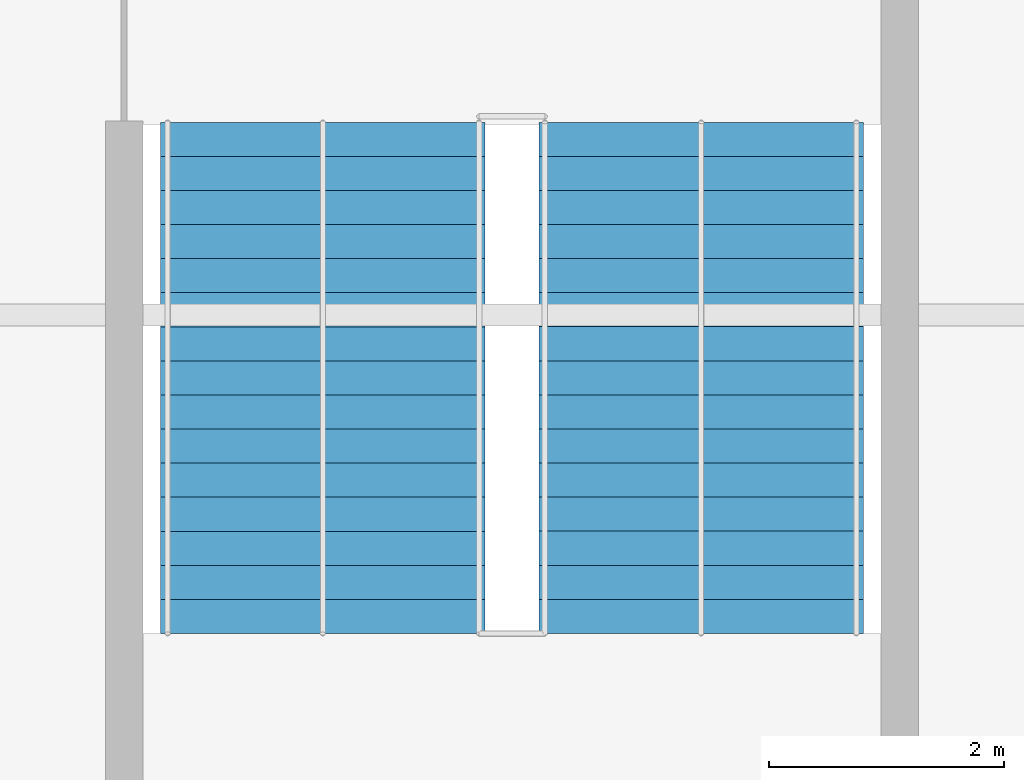
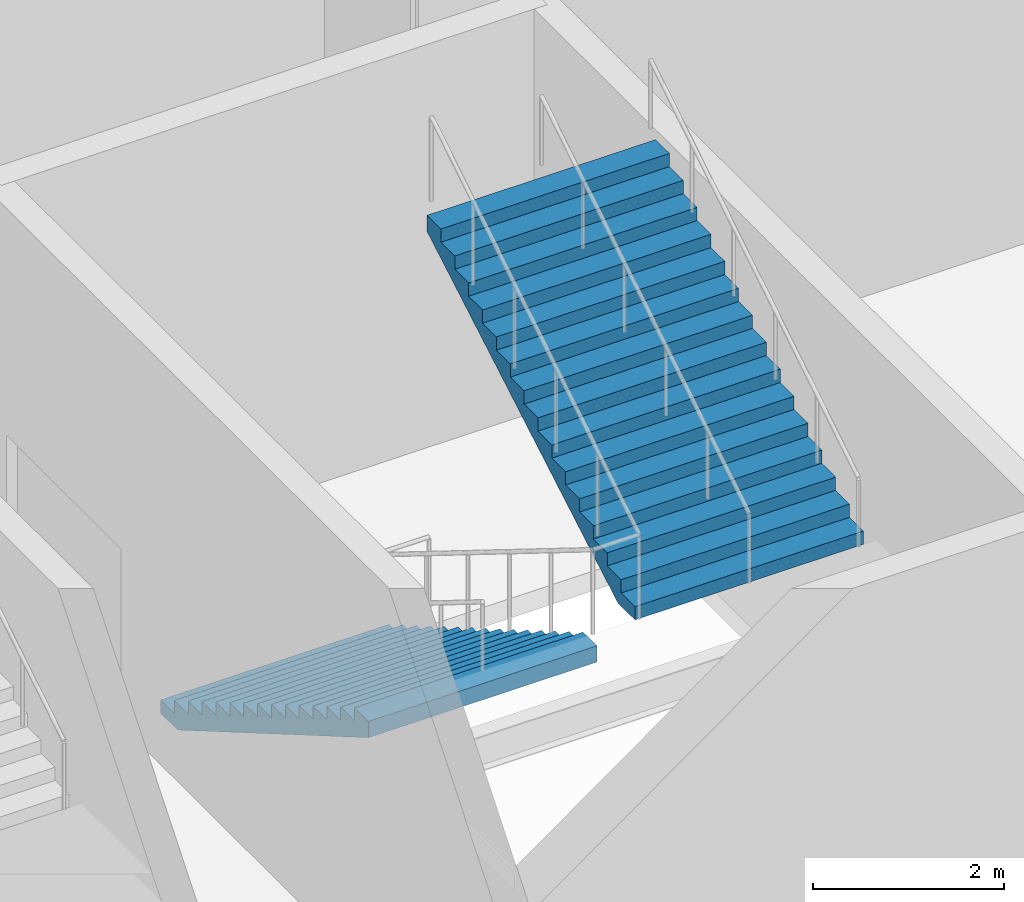
# One storey, part 95 of 111: 2 stair flights, 1 element without a shape of its own.
"""IFC4 building model written with IfcOpenShell, lengths in metres."""

from ifc_helpers import new_model, si_unit, direction, frame, origin, place, context, subcontext, project, spatial, polygons, material, type_object, element, aggregate, save


model = new_model("IFC4")

# Units and contexts
model_context = context("Model", 3, precision=1e-05, world=origin(), true_north=direction((0.0, 1.0)))
body_context = subcontext(model_context, "Body", "Model", "MODEL_VIEW")
ifc_project = project(units=[si_unit("LENGTHUNIT", "METRE"), si_unit("AREAUNIT", "SQUARE_METRE"), si_unit("VOLUMEUNIT", "CUBIC_METRE"), si_unit("PLANEANGLEUNIT", "RADIAN"), si_unit("MASSUNIT", "GRAM", prefix="KILO")], contexts=[model_context])

# Site, building, storey
site_placement = place(None, origin())
site = spatial("IfcSite", under=ifc_project, at=site_placement, CompositionType="ELEMENT")
building_placement = place(site_placement, origin())
building = spatial("IfcBuilding", under=site, at=building_placement, Name="Kisiwana Market Hall", CompositionType="ELEMENT")
storey_placement = place(building_placement, frame((0.0, 0.0, 11.39990234375)))
storey = spatial("IfcBuildingStorey", under=building, at=storey_placement, Name="L02", CompositionType="ELEMENT", Elevation=11.39990234375)

# Stair, stair flights
ifc_material_1 = material(Name="Concrete C32/40", Category="concrete")
stair_type = type_object("IfcStairType", Name="ST-ESC-5400", PredefinedType="TWO_STRAIGHT_RUN_STAIR", material=ifc_material_1)
stair_placement = place(storey_placement, origin())
stair = element("IfcStair", 1, at=stair_placement, inside=storey, type_object=stair_type, Name="Escape stair ST-E4-L02", PredefinedType="TWO_STRAIGHT_RUN_STAIR")
ifc_material_2 = material(Name="Concrete C32/40", Category="concrete")
stair_flight_type = type_object("IfcStairFlightType", Name="SF-ESC-5400", PredefinedType="STRAIGHT", material=ifc_material_2)
stair_flight_1_placement = place(storey_placement, frame((182.889892578125, 77.639892578125, 0.0), z_axis=(0.0, 0.0, 1.0), x_axis=(0.0, -1.0, 0.0)))
stair_flight_1 = element("IfcStairFlight", 2, at=stair_flight_1_placement, type_object=stair_flight_type, Name="ST-E4-L02 flight 1", NumberOfRisers=16, NumberOfTreads=15, PredefinedType="STRAIGHT", RiserHeight=0.16875, TreadLength=0.29, context=body_context, shape_type="Tessellation", body=[
    polygons([(0.0, -1.380127, 0.0), (0.0, -0.690125, 0.0), (0.0, -0.000122, 0.0), (0.0, 0.68988, 0.0), (0.0, 1.379883, 0.0), (0.0, -1.380127, 0.168701), (0.0, -0.690125, 0.168701), (0.0, -0.000122, 0.168701), (0.0, 0.68988, 0.168701), (0.0, 1.379883, 0.168701), (0.290039, -1.380127, 0.168701), (0.290039, -0.690125, 0.168701), (0.290039, -0.000122, 0.168701), (0.290039, 0.68988, 0.168701), (0.290039, 1.379883, 0.168701), (0.290039, -1.380127, 0.337402), (0.290039, -0.690125, 0.337402), (0.290039, -0.000122, 0.337402), (0.290039, 0.68988, 0.337402), (0.290039, 1.379883, 0.337402), (0.580078, -1.380127, 0.337402), (0.580078, -0.690125, 0.337402), (0.580078, -0.000122, 0.337402), (0.580078, 0.68988, 0.337402), (0.580078, 1.379883, 0.337402), (0.580078, -1.380127, 0.506348), (0.580078, -0.690125, 0.506348), (0.580078, -0.000122, 0.506348), (0.580078, 0.68988, 0.506348), (0.580078, 1.379883, 0.506348), (0.870117, -1.380127, 0.506348), (0.870117, -0.690125, 0.506348), (0.870117, -0.000122, 0.506348), (0.870117, 0.68988, 0.506348), (0.870117, 1.379883, 0.506348), (0.870117, -1.380127, 0.675049), (0.870117, -0.690125, 0.675049), (0.870117, -0.000122, 0.675049), (0.870117, 0.68988, 0.675049), (0.870117, 1.379883, 0.675049), (1.159912, -1.380127, 0.675049), (1.159912, -0.690125, 0.675049), (1.159912, -0.000122, 0.675049), (1.159912, 0.68988, 0.675049), (1.159912, 1.379883, 0.675049), (1.159912, -1.380127, 0.84375), (1.159912, -0.690125, 0.84375), (1.159912, -0.000122, 0.84375), (1.159912, 0.68988, 0.84375), (1.159912, 1.379883, 0.84375), (1.449951, -1.380127, 0.84375), (1.449951, -0.690125, 0.84375), (1.449951, -0.000122, 0.84375), (1.449951, 0.68988, 0.84375), (1.449951, 1.379883, 0.84375), (1.449951, -1.380127, 1.012451), (1.449951, -0.690125, 1.012451), (1.449951, -0.000122, 1.012451), (1.449951, 0.68988, 1.012451), (1.449951, 1.379883, 1.012451), (1.73999, -1.380127, 1.012451), (1.73999, -0.690125, 1.012451), (1.73999, -0.000122, 1.012451), (1.73999, 0.68988, 1.012451), (1.73999, 1.379883, 1.012451), (1.73999, -1.380127, 1.181152), (1.73999, -0.690125, 1.181152), (1.73999, -0.000122, 1.181152), (1.73999, 0.68988, 1.181152), (1.73999, 1.379883, 1.181152), (2.030029, -1.380127, 1.181152), (2.030029, -0.690125, 1.181152), (2.030029, -0.000122, 1.181152), (2.030029, 0.68988, 1.181152), (2.030029, 1.379883, 1.181152), (2.030029, -1.380127, 1.350098), (2.030029, -0.690125, 1.350098), (2.030029, -0.000122, 1.350098), (2.030029, 0.68988, 1.350098), (2.030029, 1.379883, 1.350098), (2.320068, -1.380127, 1.350098), (2.320068, -0.690125, 1.350098), (2.320068, -0.000122, 1.350098), (2.320068, 0.68988, 1.350098), (2.320068, 1.379883, 1.350098), (2.320068, -1.380127, 1.518799), (2.320068, -0.690125, 1.518799), (2.320068, -0.000122, 1.518799), (2.320068, 0.68988, 1.518799), (2.320068, 1.379883, 1.518799), (2.610107, -1.380127, 1.518799), (2.610107, -0.690125, 1.518799), (2.610107, -0.000122, 1.518799), (2.610107, 0.68988, 1.518799), (2.610107, 1.379883, 1.518799), (2.610107, -1.380127, 1.6875), (2.610107, -0.690125, 1.6875), (2.610107, -0.000122, 1.6875), (2.610107, 0.68988, 1.6875), (2.610107, 1.379883, 1.6875), (2.899902, -1.380127, 1.6875), (2.899902, -0.690125, 1.6875), (2.899902, -0.000122, 1.6875), (2.899902, 0.68988, 1.6875), (2.899902, 1.379883, 1.6875), (2.899902, -1.380127, 1.856201), (2.899902, -0.690125, 1.856201), (2.899902, -0.000122, 1.856201), (2.899902, 0.68988, 1.856201), (2.899902, 1.379883, 1.856201), (3.189941, -1.380127, 1.856201), (3.189941, -0.690125, 1.856201), (3.189941, -0.000122, 1.856201), (3.189941, 0.68988, 1.856201), (3.189941, 1.379883, 1.856201), (3.189941, -1.380127, 2.024902), (3.189941, -0.690125, 2.024902), (3.189941, -0.000122, 2.024902), (3.189941, 0.68988, 2.024902), (3.189941, 1.379883, 2.024902), (3.47998, -1.380127, 2.024902), (3.47998, -0.690125, 2.024902), (3.47998, -0.000122, 2.024902), (3.47998, 0.68988, 2.024902), (3.47998, 1.379883, 2.024902), (3.47998, -1.380127, 2.193848), (3.47998, -0.690125, 2.193848), (3.47998, -0.000122, 2.193848), (3.47998, 0.68988, 2.193848), (3.47998, 1.379883, 2.193848), (3.77002, -1.380127, 2.193848), (3.77002, -0.690125, 2.193848), (3.77002, -0.000122, 2.193848), (3.77002, 0.68988, 2.193848), (3.77002, 1.379883, 2.193848), (3.77002, -1.380127, 2.362549), (3.77002, -0.690125, 2.362549), (3.77002, -0.000122, 2.362549), (3.77002, 0.68988, 2.362549), (3.77002, 1.379883, 2.362549), (4.060059, -1.380127, 2.362549), (4.060059, -0.690125, 2.362549), (4.060059, -0.000122, 2.362549), (4.060059, 0.68988, 2.362549), (4.060059, 1.379883, 2.362549), (4.060059, -1.380127, 2.53125), (4.060059, -0.690125, 2.53125), (4.060059, -0.000122, 2.53125), (4.060059, 0.68988, 2.53125), (4.060059, 1.379883, 2.53125), (4.350098, -1.380127, 2.53125), (4.350098, -0.690125, 2.53125), (4.350098, -0.000122, 2.53125), (4.350098, 0.68988, 2.53125), (4.350098, 1.379883, 2.53125), (4.350098, -1.380127, 2.322998), (4.350098, -0.690125, 2.322998), (4.350098, -0.000122, 2.322998), (4.350098, 0.68988, 2.322998), (4.350098, 1.379883, 2.322998), (0.357666, -1.380127, 0.0), (0.357666, -0.690125, 0.0), (0.357666, -0.000122, 0.0), (0.357666, 0.68988, 0.0), (0.357666, 1.379883, 0.0)], [[[1, 6, 7, 2]], [[2, 7, 8, 3]], [[3, 8, 9, 4]], [[4, 9, 10, 5]], [[6, 11, 12, 7]], [[7, 12, 13, 8]], [[8, 13, 14, 9]], [[9, 14, 15, 10]], [[11, 16, 17, 12]], [[12, 17, 18, 13]], [[13, 18, 19, 14]], [[14, 19, 20, 15]], [[16, 21, 22, 17]], [[17, 22, 23, 18]], [[18, 23, 24, 19]], [[19, 24, 25, 20]], [[21, 26, 27, 22]], [[22, 27, 28, 23]], [[23, 28, 29, 24]], [[24, 29, 30, 25]], [[26, 31, 32, 27]], [[27, 32, 33, 28]], [[28, 33, 34, 29]], [[29, 34, 35, 30]], [[31, 36, 37, 32]], [[32, 37, 38, 33]], [[33, 38, 39, 34]], [[34, 39, 40, 35]], [[36, 41, 42, 37]], [[37, 42, 43, 38]], [[38, 43, 44, 39]], [[39, 44, 45, 40]], [[41, 46, 47, 42]], [[42, 47, 48, 43]], [[43, 48, 49, 44]], [[44, 49, 50, 45]], [[46, 51, 52, 47]], [[47, 52, 53, 48]], [[48, 53, 54, 49]], [[49, 54, 55, 50]], [[51, 56, 57, 52]], [[52, 57, 58, 53]], [[53, 58, 59, 54]], [[54, 59, 60, 55]], [[56, 61, 62, 57]], [[57, 62, 63, 58]], [[58, 63, 64, 59]], [[59, 64, 65, 60]], [[61, 66, 67, 62]], [[62, 67, 68, 63]], [[63, 68, 69, 64]], [[64, 69, 70, 65]], [[66, 71, 72, 67]], [[67, 72, 73, 68]], [[68, 73, 74, 69]], [[69, 74, 75, 70]], [[71, 76, 77, 72]], [[72, 77, 78, 73]], [[73, 78, 79, 74]], [[74, 79, 80, 75]], [[76, 81, 82, 77]], [[77, 82, 83, 78]], [[78, 83, 84, 79]], [[79, 84, 85, 80]], [[81, 86, 87, 82]], [[82, 87, 88, 83]], [[83, 88, 89, 84]], [[84, 89, 90, 85]], [[86, 91, 92, 87]], [[87, 92, 93, 88]], [[88, 93, 94, 89]], [[89, 94, 95, 90]], [[91, 96, 97, 92]], [[92, 97, 98, 93]], [[93, 98, 99, 94]], [[94, 99, 100, 95]], [[96, 101, 102, 97]], [[97, 102, 103, 98]], [[98, 103, 104, 99]], [[99, 104, 105, 100]], [[101, 106, 107, 102]], [[102, 107, 108, 103]], [[103, 108, 109, 104]], [[104, 109, 110, 105]], [[106, 111, 112, 107]], [[107, 112, 113, 108]], [[108, 113, 114, 109]], [[109, 114, 115, 110]], [[111, 116, 117, 112]], [[112, 117, 118, 113]], [[113, 118, 119, 114]], [[114, 119, 120, 115]], [[116, 121, 122, 117]], [[117, 122, 123, 118]], [[118, 123, 124, 119]], [[119, 124, 125, 120]], [[121, 126, 127, 122]], [[122, 127, 128, 123]], [[123, 128, 129, 124]], [[124, 129, 130, 125]], [[126, 131, 132, 127]], [[127, 132, 133, 128]], [[128, 133, 134, 129]], [[129, 134, 135, 130]], [[131, 136, 137, 132]], [[132, 137, 138, 133]], [[133, 138, 139, 134]], [[134, 139, 140, 135]], [[136, 141, 142, 137]], [[137, 142, 143, 138]], [[138, 143, 144, 139]], [[139, 144, 145, 140]], [[141, 146, 147, 142]], [[142, 147, 148, 143]], [[143, 148, 149, 144]], [[144, 149, 150, 145]], [[146, 151, 152, 147]], [[147, 152, 153, 148]], [[148, 153, 154, 149]], [[149, 154, 155, 150]], [[151, 156, 157, 152]], [[152, 157, 158, 153]], [[153, 158, 159, 154]], [[154, 159, 160, 155]], [[156, 161, 162, 157]], [[157, 162, 163, 158]], [[158, 163, 164, 159]], [[159, 164, 165, 160]], [[161, 1, 2, 162]], [[162, 2, 3, 163]], [[163, 3, 4, 164]], [[164, 4, 5, 165]], [[161, 156, 151, 146, 141, 136, 131, 126, 121, 116, 111, 106, 101, 96, 91, 86, 81, 76, 71, 66, 61, 56, 51, 46, 41, 36, 31, 26, 21, 16, 11, 6, 1]], [[5, 10, 15, 20, 25, 30, 35, 40, 45, 50, 55, 60, 65, 70, 75, 80, 85, 90, 95, 100, 105, 110, 115, 120, 125, 130, 135, 140, 145, 150, 155, 160, 165]]], closed=True),
])
stair_flight_2_placement = place(storey_placement, frame((186.110107421875, 73.2900390625, 2.7001953125), z_axis=(0.0, 0.0, 1.0), x_axis=(0.0, 1.0, 0.0)))
stair_flight_2 = element("IfcStairFlight", 3, at=stair_flight_2_placement, type_object=stair_flight_type, Name="ST-E4-L02 flight 2", NumberOfRisers=16, NumberOfTreads=15, PredefinedType="STRAIGHT", RiserHeight=0.16875, TreadLength=0.29, context=body_context, shape_type="Tessellation", body=[
    polygons([(0.0, -1.380127, 0.0), (0.0, -0.690125, 0.0), (0.0, -0.000122, 0.0), (0.0, 0.68988, 0.0), (0.0, 1.379883, 0.0), (0.0, -1.380127, 0.168701), (0.0, -0.690125, 0.168701), (0.0, -0.000122, 0.168701), (0.0, 0.68988, 0.168701), (0.0, 1.379883, 0.168701), (0.290039, -1.380127, 0.168701), (0.290039, -0.690125, 0.168701), (0.290039, -0.000122, 0.168701), (0.290039, 0.68988, 0.168701), (0.290039, 1.379883, 0.168701), (0.290039, -1.380127, 0.337402), (0.290039, -0.690125, 0.337402), (0.290039, -0.000122, 0.337402), (0.290039, 0.68988, 0.337402), (0.290039, 1.379883, 0.337402), (0.580078, -1.380127, 0.337402), (0.580078, -0.690125, 0.337402), (0.580078, -0.000122, 0.337402), (0.580078, 0.68988, 0.337402), (0.580078, 1.379883, 0.337402), (0.580078, -1.380127, 0.506348), (0.580078, -0.690125, 0.506348), (0.580078, -0.000122, 0.506348), (0.580078, 0.68988, 0.506348), (0.580078, 1.379883, 0.506348), (0.870117, -1.380127, 0.506348), (0.870117, -0.690125, 0.506348), (0.870117, -0.000122, 0.506348), (0.870117, 0.68988, 0.506348), (0.870117, 1.379883, 0.506348), (0.870117, -1.380127, 0.675049), (0.870117, -0.690125, 0.675049), (0.870117, -0.000122, 0.675049), (0.870117, 0.68988, 0.675049), (0.870117, 1.379883, 0.675049), (1.159912, -1.380127, 0.675049), (1.159912, -0.690125, 0.675049), (1.159912, -0.000122, 0.675049), (1.159912, 0.68988, 0.675049), (1.159912, 1.379883, 0.675049), (1.159912, -1.380127, 0.84375), (1.159912, -0.690125, 0.84375), (1.159912, -0.000122, 0.84375), (1.159912, 0.68988, 0.84375), (1.159912, 1.379883, 0.84375), (1.449951, -1.380127, 0.84375), (1.449951, -0.690125, 0.84375), (1.449951, -0.000122, 0.84375), (1.449951, 0.68988, 0.84375), (1.449951, 1.379883, 0.84375), (1.449951, -1.380127, 1.012451), (1.449951, -0.690125, 1.012451), (1.449951, -0.000122, 1.012451), (1.449951, 0.68988, 1.012451), (1.449951, 1.379883, 1.012451), (1.73999, -1.380127, 1.012451), (1.73999, -0.690125, 1.012451), (1.73999, -0.000122, 1.012451), (1.73999, 0.68988, 1.012451), (1.73999, 1.379883, 1.012451), (1.73999, -1.380127, 1.181152), (1.73999, -0.690125, 1.181152), (1.73999, -0.000122, 1.181152), (1.73999, 0.68988, 1.181152), (1.73999, 1.379883, 1.181152), (2.030029, -1.380127, 1.181152), (2.030029, -0.690125, 1.181152), (2.030029, -0.000122, 1.181152), (2.030029, 0.68988, 1.181152), (2.030029, 1.379883, 1.181152), (2.030029, -1.380127, 1.350098), (2.030029, -0.690125, 1.350098), (2.030029, -0.000122, 1.350098), (2.030029, 0.68988, 1.350098), (2.030029, 1.379883, 1.350098), (2.320068, -1.380127, 1.350098), (2.320068, -0.690125, 1.350098), (2.320068, -0.000122, 1.350098), (2.320068, 0.68988, 1.350098), (2.320068, 1.379883, 1.350098), (2.320068, -1.380127, 1.518799), (2.320068, -0.690125, 1.518799), (2.320068, -0.000122, 1.518799), (2.320068, 0.68988, 1.518799), (2.320068, 1.379883, 1.518799), (2.610107, -1.380127, 1.518799), (2.610107, -0.690125, 1.518799), (2.610107, -0.000122, 1.518799), (2.610107, 0.68988, 1.518799), (2.610107, 1.379883, 1.518799), (2.610107, -1.380127, 1.6875), (2.610107, -0.690125, 1.6875), (2.610107, -0.000122, 1.6875), (2.610107, 0.68988, 1.6875), (2.610107, 1.379883, 1.6875), (2.899902, -1.380127, 1.6875), (2.899902, -0.690125, 1.6875), (2.899902, -0.000122, 1.6875), (2.899902, 0.68988, 1.6875), (2.899902, 1.379883, 1.6875), (2.899902, -1.380127, 1.856201), (2.899902, -0.690125, 1.856201), (2.899902, -0.000122, 1.856201), (2.899902, 0.68988, 1.856201), (2.899902, 1.379883, 1.856201), (3.189941, -1.380127, 1.856201), (3.189941, -0.690125, 1.856201), (3.189941, -0.000122, 1.856201), (3.189941, 0.68988, 1.856201), (3.189941, 1.379883, 1.856201), (3.189941, -1.380127, 2.024902), (3.189941, -0.690125, 2.024902), (3.189941, -0.000122, 2.024902), (3.189941, 0.68988, 2.024902), (3.189941, 1.379883, 2.024902), (3.47998, -1.380127, 2.024902), (3.47998, -0.690125, 2.024902), (3.47998, -0.000122, 2.024902), (3.47998, 0.68988, 2.024902), (3.47998, 1.379883, 2.024902), (3.47998, -1.380127, 2.193848), (3.47998, -0.690125, 2.193848), (3.47998, -0.000122, 2.193848), (3.47998, 0.68988, 2.193848), (3.47998, 1.379883, 2.193848), (3.77002, -1.380127, 2.193848), (3.77002, -0.690125, 2.193848), (3.77002, -0.000122, 2.193848), (3.77002, 0.68988, 2.193848), (3.77002, 1.379883, 2.193848), (3.77002, -1.380127, 2.362549), (3.77002, -0.690125, 2.362549), (3.77002, -0.000122, 2.362549), (3.77002, 0.68988, 2.362549), (3.77002, 1.379883, 2.362549), (4.060059, -1.380127, 2.362549), (4.060059, -0.690125, 2.362549), (4.060059, -0.000122, 2.362549), (4.060059, 0.68988, 2.362549), (4.060059, 1.379883, 2.362549), (4.060059, -1.380127, 2.53125), (4.060059, -0.690125, 2.53125), (4.060059, -0.000122, 2.53125), (4.060059, 0.68988, 2.53125), (4.060059, 1.379883, 2.53125), (4.350098, -1.380127, 2.53125), (4.350098, -0.690125, 2.53125), (4.350098, -0.000122, 2.53125), (4.350098, 0.68988, 2.53125), (4.350098, 1.379883, 2.53125), (4.350098, -1.380127, 2.322998), (4.350098, -0.690125, 2.322998), (4.350098, -0.000122, 2.322998), (4.350098, 0.68988, 2.322998), (4.350098, 1.379883, 2.322998), (0.357666, -1.380127, 0.0), (0.357666, -0.690125, 0.0), (0.357666, -0.000122, 0.0), (0.357666, 0.68988, 0.0), (0.357666, 1.379883, 0.0)], [[[1, 6, 7, 2]], [[2, 7, 8, 3]], [[3, 8, 9, 4]], [[4, 9, 10, 5]], [[6, 11, 12, 7]], [[7, 12, 13, 8]], [[8, 13, 14, 9]], [[9, 14, 15, 10]], [[11, 16, 17, 12]], [[12, 17, 18, 13]], [[13, 18, 19, 14]], [[14, 19, 20, 15]], [[16, 21, 22, 17]], [[17, 22, 23, 18]], [[18, 23, 24, 19]], [[19, 24, 25, 20]], [[21, 26, 27, 22]], [[22, 27, 28, 23]], [[23, 28, 29, 24]], [[24, 29, 30, 25]], [[26, 31, 32, 27]], [[27, 32, 33, 28]], [[28, 33, 34, 29]], [[29, 34, 35, 30]], [[31, 36, 37, 32]], [[32, 37, 38, 33]], [[33, 38, 39, 34]], [[34, 39, 40, 35]], [[36, 41, 42, 37]], [[37, 42, 43, 38]], [[38, 43, 44, 39]], [[39, 44, 45, 40]], [[41, 46, 47, 42]], [[42, 47, 48, 43]], [[43, 48, 49, 44]], [[44, 49, 50, 45]], [[46, 51, 52, 47]], [[47, 52, 53, 48]], [[48, 53, 54, 49]], [[49, 54, 55, 50]], [[51, 56, 57, 52]], [[52, 57, 58, 53]], [[53, 58, 59, 54]], [[54, 59, 60, 55]], [[56, 61, 62, 57]], [[57, 62, 63, 58]], [[58, 63, 64, 59]], [[59, 64, 65, 60]], [[61, 66, 67, 62]], [[62, 67, 68, 63]], [[63, 68, 69, 64]], [[64, 69, 70, 65]], [[66, 71, 72, 67]], [[67, 72, 73, 68]], [[68, 73, 74, 69]], [[69, 74, 75, 70]], [[71, 76, 77, 72]], [[72, 77, 78, 73]], [[73, 78, 79, 74]], [[74, 79, 80, 75]], [[76, 81, 82, 77]], [[77, 82, 83, 78]], [[78, 83, 84, 79]], [[79, 84, 85, 80]], [[81, 86, 87, 82]], [[82, 87, 88, 83]], [[83, 88, 89, 84]], [[84, 89, 90, 85]], [[86, 91, 92, 87]], [[87, 92, 93, 88]], [[88, 93, 94, 89]], [[89, 94, 95, 90]], [[91, 96, 97, 92]], [[92, 97, 98, 93]], [[93, 98, 99, 94]], [[94, 99, 100, 95]], [[96, 101, 102, 97]], [[97, 102, 103, 98]], [[98, 103, 104, 99]], [[99, 104, 105, 100]], [[101, 106, 107, 102]], [[102, 107, 108, 103]], [[103, 108, 109, 104]], [[104, 109, 110, 105]], [[106, 111, 112, 107]], [[107, 112, 113, 108]], [[108, 113, 114, 109]], [[109, 114, 115, 110]], [[111, 116, 117, 112]], [[112, 117, 118, 113]], [[113, 118, 119, 114]], [[114, 119, 120, 115]], [[116, 121, 122, 117]], [[117, 122, 123, 118]], [[118, 123, 124, 119]], [[119, 124, 125, 120]], [[121, 126, 127, 122]], [[122, 127, 128, 123]], [[123, 128, 129, 124]], [[124, 129, 130, 125]], [[126, 131, 132, 127]], [[127, 132, 133, 128]], [[128, 133, 134, 129]], [[129, 134, 135, 130]], [[131, 136, 137, 132]], [[132, 137, 138, 133]], [[133, 138, 139, 134]], [[134, 139, 140, 135]], [[136, 141, 142, 137]], [[137, 142, 143, 138]], [[138, 143, 144, 139]], [[139, 144, 145, 140]], [[141, 146, 147, 142]], [[142, 147, 148, 143]], [[143, 148, 149, 144]], [[144, 149, 150, 145]], [[146, 151, 152, 147]], [[147, 152, 153, 148]], [[148, 153, 154, 149]], [[149, 154, 155, 150]], [[151, 156, 157, 152]], [[152, 157, 158, 153]], [[153, 158, 159, 154]], [[154, 159, 160, 155]], [[156, 161, 162, 157]], [[157, 162, 163, 158]], [[158, 163, 164, 159]], [[159, 164, 165, 160]], [[161, 1, 2, 162]], [[162, 2, 3, 163]], [[163, 3, 4, 164]], [[164, 4, 5, 165]], [[161, 156, 151, 146, 141, 136, 131, 126, 121, 116, 111, 106, 101, 96, 91, 86, 81, 76, 71, 66, 61, 56, 51, 46, 41, 36, 31, 26, 21, 16, 11, 6, 1]], [[5, 10, 15, 20, 25, 30, 35, 40, 45, 50, 55, 60, 65, 70, 75, 80, 85, 90, 95, 100, 105, 110, 115, 120, 125, 130, 135, 140, 145, 150, 155, 160, 165]]], closed=True),
])
aggregate(stair, [stair_flight_1, stair_flight_2])

save(model, "model.ifc")
